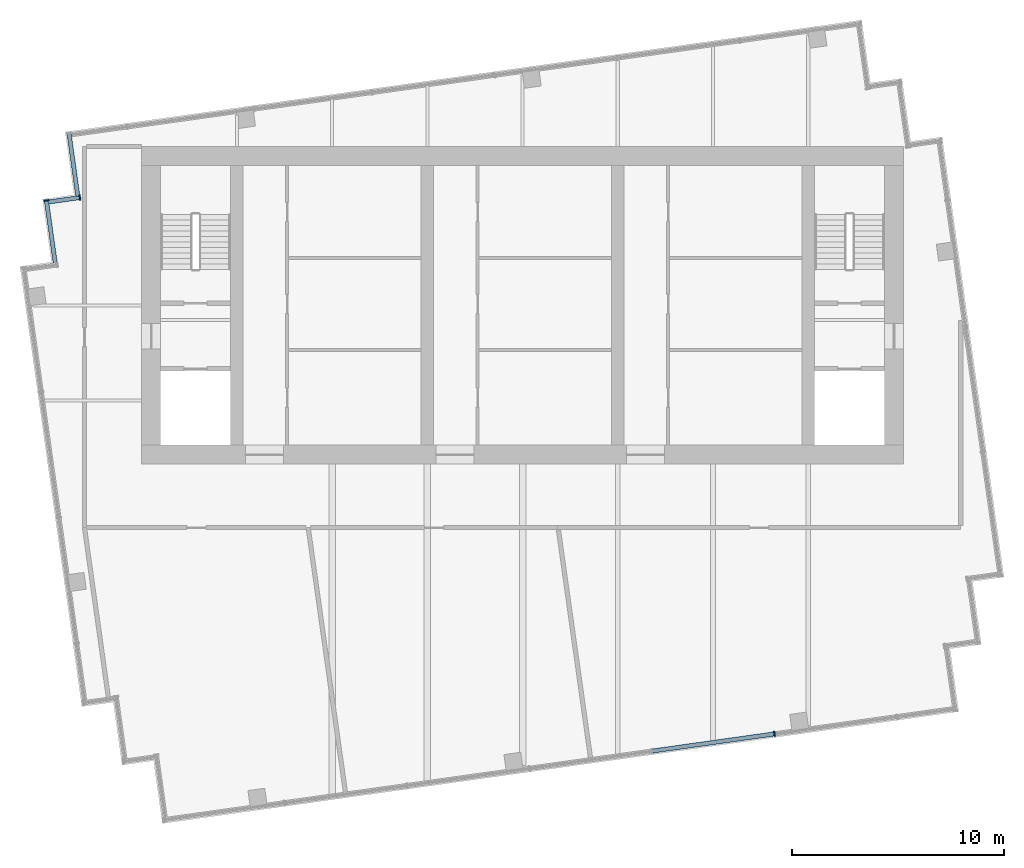
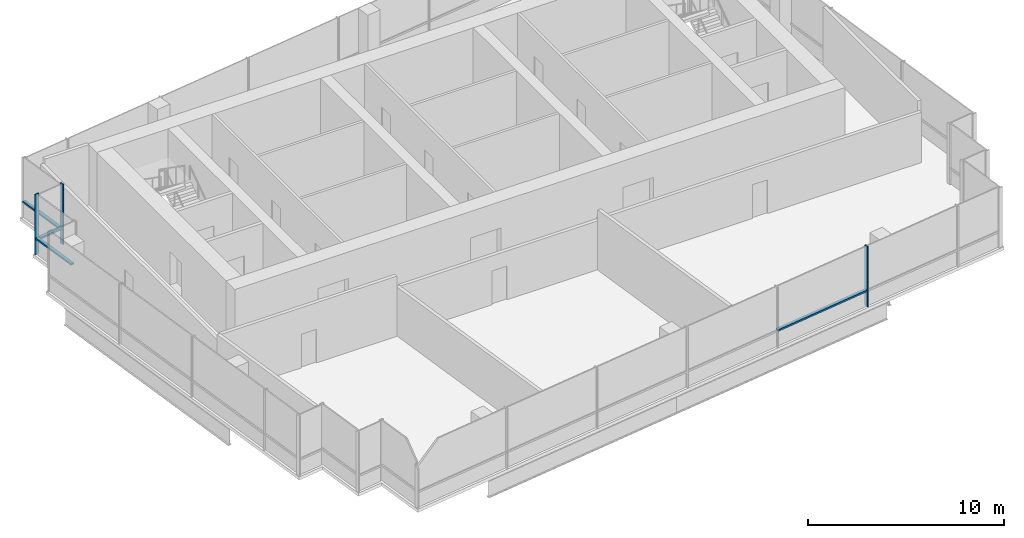
# One storey, part 3 of 9: 7 members, 4 elements without a shape of their own.
"""IFC4 building model written with IfcOpenShell, lengths in metres."""

from ifc_helpers import new_model, si_unit, direction, frame, origin, origin_2d, place, context, subcontext, project, spatial, rectangle, extrude, material, layer, layer_set, material_profile, profile_set, type_object, element, aggregate, save


model = new_model("IFC4")

# Units and contexts
model_context = context("Model", 3, precision=1e-05, world=origin(), true_north=direction((0.0, 1.0)))
body_context = subcontext(model_context, "Body", "Model", "MODEL_VIEW")
ifc_project = project(units=[si_unit("LENGTHUNIT", "METRE"), si_unit("AREAUNIT", "SQUARE_METRE"), si_unit("VOLUMEUNIT", "CUBIC_METRE"), si_unit("PLANEANGLEUNIT", "RADIAN"), si_unit("MASSUNIT", "GRAM", prefix="KILO")], contexts=[model_context])

# Site, building, storey
site_placement = place(None, origin())
site = spatial("IfcSite", under=ifc_project, at=site_placement, CompositionType="ELEMENT")
building_placement = place(site_placement, origin())
building = spatial("IfcBuilding", under=site, at=building_placement, Name="Rattan Terrace Tower", CompositionType="ELEMENT")
storey_placement = place(building_placement, frame((0.0, 0.0, 312.300048828125)))
storey = spatial("IfcBuildingStorey", under=building, at=storey_placement, Name="C06", CompositionType="ELEMENT", Elevation=312.300048828125)

# Curtain wall, member
ifc_material_1 = material(Name="Aluminium and laminated glass", Category="aluminium")
ifc_layer = layer(ifc_material_1, 0.239990234375)
ifc_layer_set = layer_set([ifc_layer], Name="Lantern Stick Curtain Wall")
curtain_wall_type = type_object("IfcCurtainWallType", Name="Lantern Stick Curtain Wall", PredefinedType="NOTDEFINED", material=ifc_layer_set)
curtain_wall_1_placement = place(storey_placement, origin())
curtain_wall_1 = element("IfcCurtainWall", 1, at=curtain_wall_1_placement, inside=storey, type_object=curtain_wall_type, Name="Lantern curtain wall C06-6", PredefinedType="NOTDEFINED")
ifc_material_2 = material(Name="Aluminium", Category="aluminium")
ifc_material_profile_1 = material_profile(ifc_material_2, rectangle(XDim=0.070068359375, YDim=0.239990234375, at=origin_2d()), Name="Aluminium 70x240")
ifc_profile_set_1 = profile_set([ifc_material_profile_1], Name="Aluminium")
member_type_1 = type_object("IfcMemberType", Name="Lantern CW Mullion 70x240", PredefinedType="MULLION", material=ifc_profile_set_1)
member_1_placement = place(storey_placement, frame((11.90283203125, -20.247314453125, 0.0), z_axis=(0.0, 0.0, 1.0), x_axis=(0.990266952226, 0.13918104515, 0.0)))
member_1 = element("IfcMember", 2, at=member_1_placement, type_object=member_type_1, Name="Mullion cwl-C06-006.6", PredefinedType="MULLION", context=body_context, shape_type="SweptSolid", body=[
    extrude(rectangle(XDim=0.070068359375, YDim=0.239990234375, at=origin_2d()), origin(), (0.0, 0.0, 1.0), 3.75),
])

curtain_wall_2_placement = place(storey_placement, origin())
curtain_wall_2 = element("IfcCurtainWall", 3, at=curtain_wall_2_placement, inside=storey, type_object=curtain_wall_type, Name="Lantern curtain wall C06-18", PredefinedType="NOTDEFINED")
member_2_placement = place(storey_placement, frame((-20.9189453125, 5.09228515625, 0.0), z_axis=(0.0, 0.0, 1.0), x_axis=(-0.990227803001, -0.139459306479, 0.0)))
member_2 = element("IfcMember", 4, at=member_2_placement, type_object=member_type_1, Name="Mullion cwl-C06-018.1", PredefinedType="MULLION", context=body_context, shape_type="SweptSolid", body=[
    extrude(rectangle(XDim=0.070068359375, YDim=0.239990234375, at=origin_2d()), origin(), (0.0, 0.0, 1.0), 3.75),
])

curtain_wall_3_placement = place(storey_placement, origin())
curtain_wall_3 = element("IfcCurtainWall", 5, at=curtain_wall_3_placement, inside=storey, type_object=curtain_wall_type, Name="Lantern curtain wall C06-19", PredefinedType="NOTDEFINED")
member_3_placement = place(storey_placement, frame((-22.498779296875, 4.95556640625, 0.0), z_axis=(0.0, 0.0, 1.0), x_axis=(0.139367219175, -0.990240767803, 0.0)))
member_3 = element("IfcMember", 6, at=member_3_placement, type_object=member_type_1, Name="Mullion cwl-C06-019.1", PredefinedType="MULLION", context=body_context, shape_type="SweptSolid", body=[
    extrude(rectangle(XDim=0.070068359375, YDim=0.239990234375, at=origin_2d()), origin(), (0.0, 0.0, 1.0), 3.75),
])

# Member
ifc_material_3 = material(Name="Aluminium", Category="aluminium")
ifc_material_profile_2 = material_profile(ifc_material_3, rectangle(XDim=0.199951171875, YDim=0.10009765625, at=origin_2d()), Name="Aluminium 200x100")
ifc_profile_set_2 = profile_set([ifc_material_profile_2], Name="Aluminium")
member_type_2 = type_object("IfcMemberType", Name="Lantern CW Transom 200x100", PredefinedType="USERDEFINED", material=ifc_profile_set_2)
member_4_placement = place(storey_placement, frame((6.1484375, -21.05615234375, 1.0), z_axis=(0.990265684123, 0.139190067348, 0.0), x_axis=(-0.139190067348, 0.990265684123, 0.0)))
member_4 = element("IfcMember", 7, at=member_4_placement, type_object=member_type_2, Name="Transom cwl-C06-006.5", ObjectType="TRANSOM", PredefinedType="USERDEFINED", context=body_context, shape_type="SweptSolid", body=[
    extrude(rectangle(XDim=0.199951171875, YDim=0.10009765625, at=origin_2d()), origin(), (0.0, 0.0, 1.0), 5.77587890625),
])

aggregate(curtain_wall_1, [member_1, member_4])

# Curtain wall, member
curtain_wall_4_placement = place(storey_placement, origin())
curtain_wall_4 = element("IfcCurtainWall", 8, at=curtain_wall_4_placement, inside=storey, type_object=curtain_wall_type, Name="Lantern curtain wall C06-17", PredefinedType="NOTDEFINED")
member_5_placement = place(storey_placement, frame((-21.427001953125, 8.099853515625, 1.0), z_axis=(0.139028781454, -0.990288340801, 0.0), x_axis=(0.990288340801, 0.139028781454, 0.0)))
member_5 = element("IfcMember", 9, at=member_5_placement, type_object=member_type_2, Name="Transom cwl-C06-017.1", ObjectType="TRANSOM", PredefinedType="USERDEFINED", context=body_context, shape_type="SweptSolid", body=[
    extrude(rectangle(XDim=0.199951171875, YDim=0.10009765625, at=origin_2d()), origin(), (0.0, 0.0, 1.0), 2.92919921875),
])
aggregate(curtain_wall_4, [member_5])

# Member
member_6_placement = place(storey_placement, frame((-20.95361328125, 5.08740234375, 1.0), z_axis=(-0.990227834808, -0.139459080636, 0.0), x_axis=(0.139459080636, -0.990227834808, 0.0)))
member_6 = element("IfcMember", 10, at=member_6_placement, type_object=member_type_2, Name="Transom cwl-C06-018.1", ObjectType="TRANSOM", PredefinedType="USERDEFINED", context=body_context, shape_type="SweptSolid", body=[
    extrude(rectangle(XDim=0.199951171875, YDim=0.10009765625, at=origin_2d()), origin(), (0.0, 0.0, 1.0), 1.428466796875),
])

aggregate(curtain_wall_2, [member_2, member_6])

member_7_placement = place(storey_placement, frame((-22.493896484375, 4.9208984375, 1.0), z_axis=(0.139355716724, -0.990242386599, 0.0), x_axis=(0.990242386599, 0.139355716724, 0.0)))
member_7 = element("IfcMember", 11, at=member_7_placement, type_object=member_type_2, Name="Transom cwl-C06-019.1", ObjectType="TRANSOM", PredefinedType="USERDEFINED", context=body_context, shape_type="SweptSolid", body=[
    extrude(rectangle(XDim=0.199951171875, YDim=0.10009765625, at=origin_2d()), origin(), (0.0, 0.0, 1.0), 2.92919921875),
])

aggregate(curtain_wall_3, [member_3, member_7])

save(model, "model.ifc")
